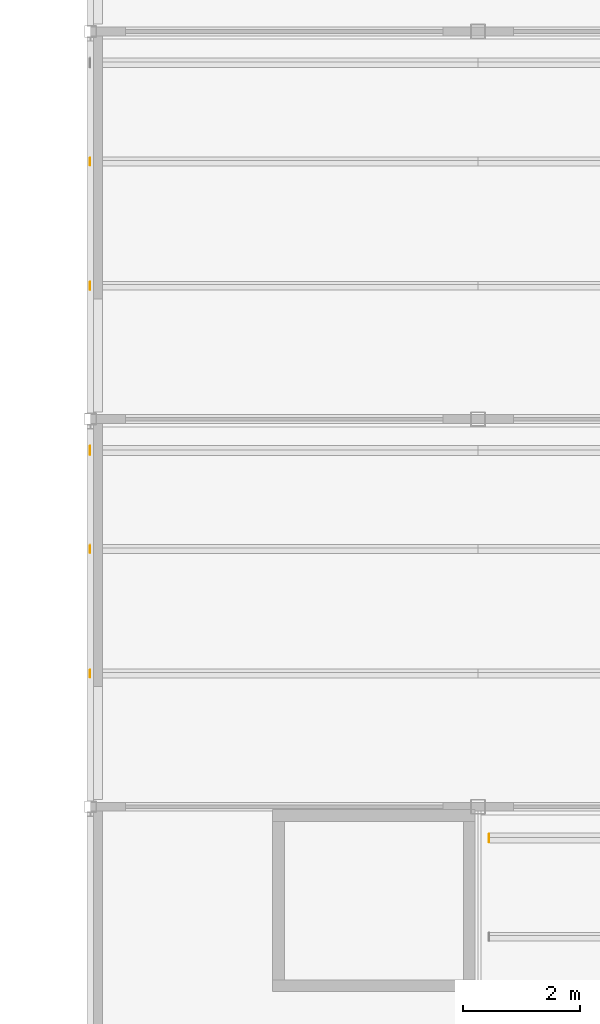
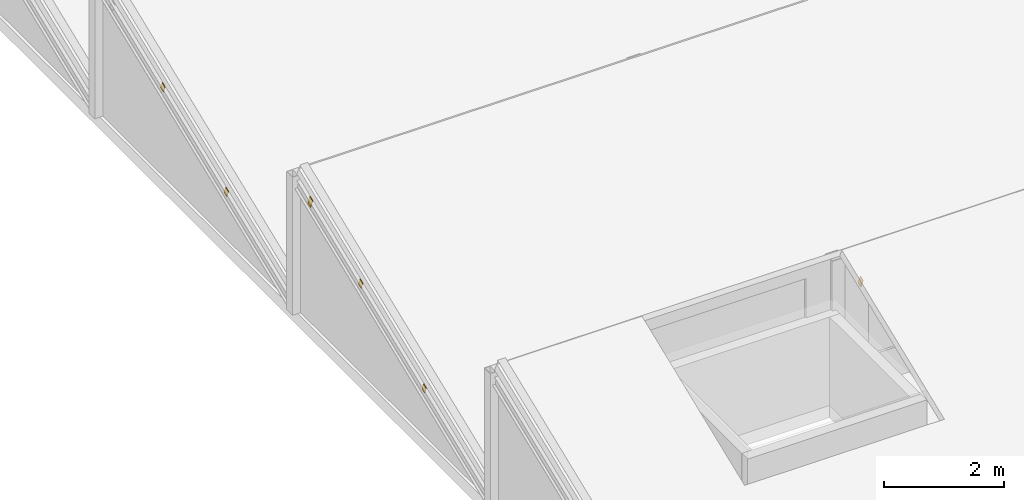
# One storey, part 103 of 109: 6 coverings.
"""IFC4 building model written with IfcOpenShell, lengths in metres."""

from ifc_helpers import new_model, si_unit, direction, frame, origin, place, context, subcontext, project, spatial, polyline, outline, extrude, material, material_profile, profile_set, type_object, element, save


model = new_model("IFC4")

# Units and contexts
model_context = context("Model", 3, precision=1e-05, world=origin(), true_north=direction((0.0, 1.0)))
body_context = subcontext(model_context, "Body", "Model", "MODEL_VIEW")
ifc_project = project(units=[si_unit("LENGTHUNIT", "METRE"), si_unit("AREAUNIT", "SQUARE_METRE"), si_unit("VOLUMEUNIT", "CUBIC_METRE"), si_unit("PLANEANGLEUNIT", "RADIAN"), si_unit("MASSUNIT", "GRAM", prefix="KILO")], contexts=[model_context])

# Site, building, storey
site_placement = place(None, origin())
site = spatial("IfcSite", under=ifc_project, at=site_placement, CompositionType="ELEMENT")
building_placement = place(site_placement, origin())
building = spatial("IfcBuilding", under=site, at=building_placement, Name="Lantern Court Research Institute", CompositionType="ELEMENT")
storey_placement = place(building_placement, frame((0.0, 0.0, 14.39990234375)))
storey = spatial("IfcBuildingStorey", under=building, at=storey_placement, Name="L03", CompositionType="ELEMENT", Elevation=14.39990234375)

# Coverings
ifc_material_1 = material(Name="Structural steel S355", Category="steel")
ifc_material_profile_1 = material_profile(ifc_material_1, outline(polyline([(-0.050048828125, -0.074951171875), (0.050048828125, -0.074951171875), (0.050048828125, 0.074951171875), (-0.050048828125, 0.074951171875), (-0.050048828125, -0.074951171875)])), Name="Purlin end cap 150 x 100 x 10")
ifc_profile_set_1 = profile_set([ifc_material_profile_1], Name="Structural steel S355")
covering_type_1 = type_object("IfcCoveringType", Name="Purlin end cap 150 x 100 x 10", PredefinedType="MOLDING", material=ifc_profile_set_1)
for number, where, z_axis, x_axis, name in (
    (1, (0.0, 58.36962890625, 1.0478515625), (-1.0, 0.0, 0.0), (0.0, -0.928476694038, -0.371390668473), "Purlin end cap"),
    (2, (0.0, 60.486083984375, 1.89453125), (-1.0, 0.0, 0.0), (0.0, -0.928476694038, -0.371390668473), "Purlin end cap"),
    (3, (0.0, 64.969482421875, 1.0478515625), (-1.0, 0.0, 0.0), (0.0, -0.928476694038, -0.371390668473), "Purlin end cap"),
    (4, (0.0, 67.086181640625, 1.89453125), (-1.0, 0.0, 0.0), (0.0, -0.928476694038, -0.371390668473), "Purlin end cap"),
):
    element("IfcCovering", number, at=place(storey_placement, frame(where, z_axis=z_axis, x_axis=x_axis)), inside=storey, type_object=covering_type_1, Name=name, PredefinedType="MOLDING", context=body_context, shape_type="SweptSolid", body=[
        extrude(outline(polyline([(-0.050048828125, -0.074951171875), (0.050048828125, -0.074951171875), (0.050048828125, 0.074951171875), (-0.050048828125, 0.074951171875), (-0.050048828125, -0.074951171875)])), origin(), (0.0, 0.0, 1.0), 0.010009765625),
    ])
ifc_material_2 = material(Name="Structural steel S355", Category="steel")
ifc_material_profile_2 = material_profile(ifc_material_2, outline(polyline([(-0.050048828125, -0.10009765625), (0.050048828125, -0.10009765625), (0.050048828125, 0.10009765625), (-0.050048828125, 0.10009765625), (-0.050048828125, -0.10009765625)])), Name="Purlin end cap 200 x 100 x 10")
ifc_profile_set_2 = profile_set([ifc_material_profile_2], Name="Structural steel S355")
covering_type_2 = type_object("IfcCoveringType", Name="Purlin end cap 200 x 100 x 10", PredefinedType="MOLDING", material=ifc_profile_set_2)
for number, where, z_axis, x_axis, name in (
    (5, (6.79248046875, 55.567626953125, 2.540283203125), (-1.0, 0.0, 0.0), (0.0, -0.928476694038, -0.371390668473), "Purlin end cap"),
    (6, (0.0, 62.167724609375, 2.540283203125), (-1.0, 0.0, 0.0), (0.0, -0.928476694038, -0.371390668473), "Purlin end cap"),
):
    element("IfcCovering", number, at=place(storey_placement, frame(where, z_axis=z_axis, x_axis=x_axis)), inside=storey, type_object=covering_type_2, Name=name, PredefinedType="MOLDING", context=body_context, shape_type="SweptSolid", body=[
        extrude(outline(polyline([(-0.050048828125, -0.10009765625), (0.050048828125, -0.10009765625), (0.050048828125, 0.10009765625), (-0.050048828125, 0.10009765625), (-0.050048828125, -0.10009765625)])), origin(), (0.0, 0.0, 1.0), 0.010009765625),
    ])

save(model, "model.ifc")
